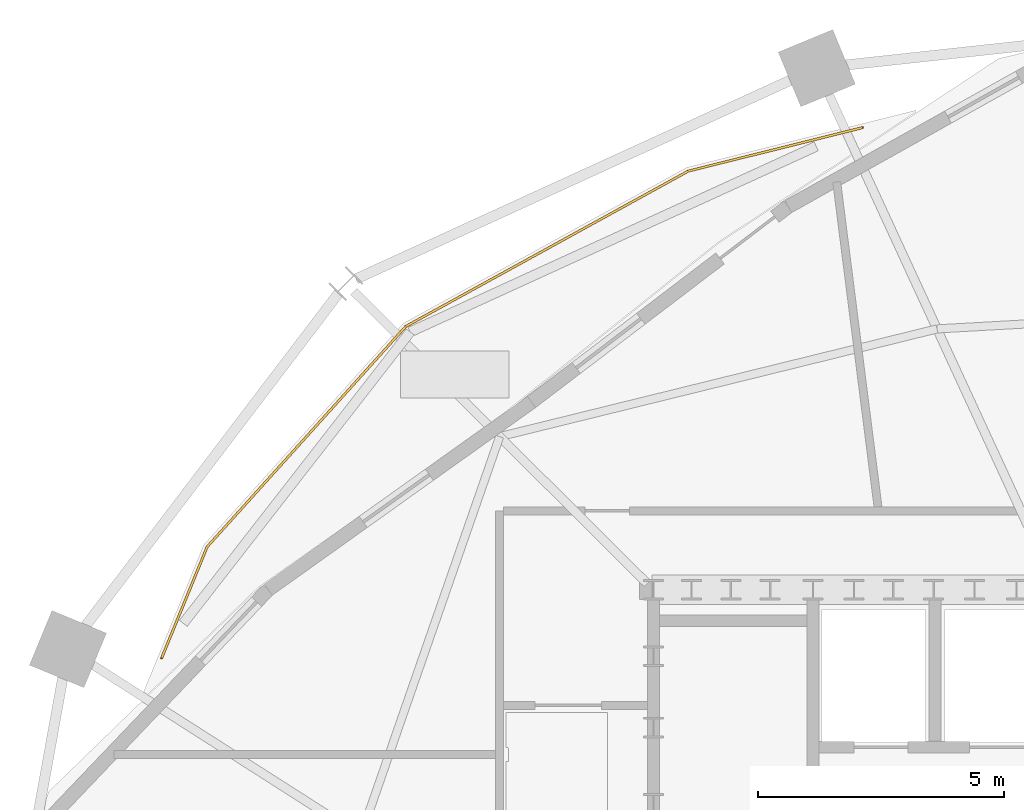
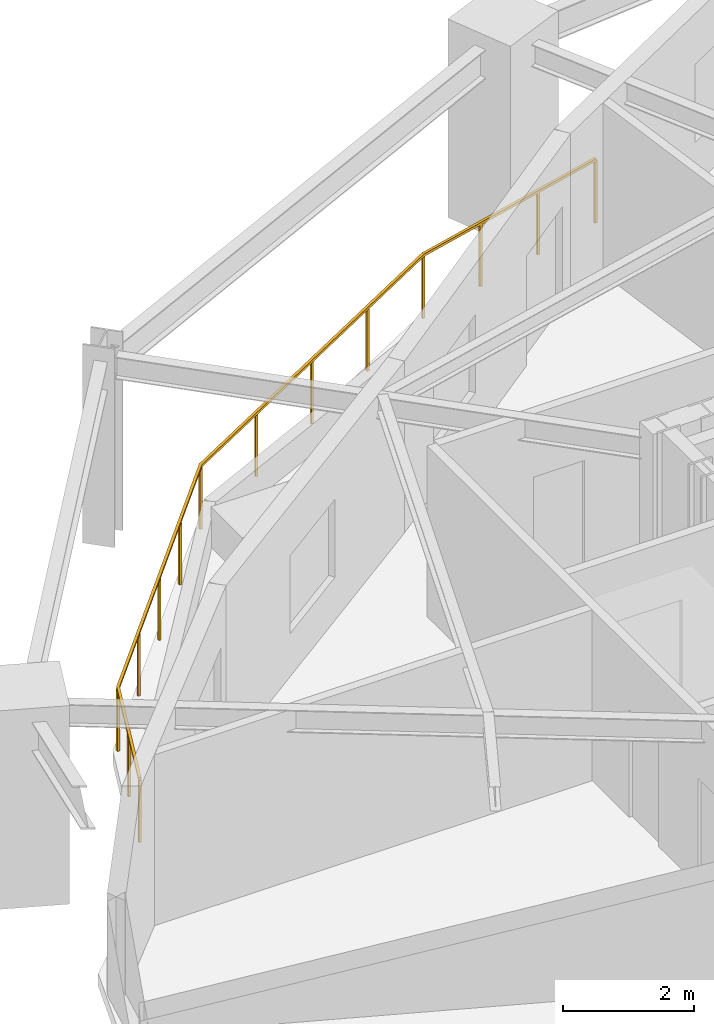
# One storey, part 10 of 10: 1 railing.
"""IFC4 building model written with IfcOpenShell, lengths in metres."""

import ifcopenshell
import ifcopenshell.guid

model = None  # the IFC model being written
_history = None  # IfcOwnerHistory: only IFC2X3 demands one
_inside = {}  # id of a spatial element -> (the spatial element, [elements in it])
_under = {}  # id of a project, library or spatial element -> (it, [spatial elements below it])
_declared = {}  # id of a project -> (the project, [libraries it declares])
_typed = {}  # id of a type object -> (the type object, [elements of that type])
_made_of = {}  # id of a material, layer set ... -> (it, [elements and type objects made of it])


def new_model(schema):
    """Start an empty IFC model of exactly this schema.

    Asked for "IFC4X3", IfcOpenShell would pick the latest addendum, in which some entities
    have other attributes; the version numbers below select the first issue.
    IFC2X3 requires an IfcOwnerHistory on every rooted entity: one is made here for all.
    """
    global model, _history
    if schema == "IFC4X3":
        model = ifcopenshell.file(schema_version=(4, 3, 0, 0))
    else:
        model = ifcopenshell.file(schema=schema)
    _inside.clear()
    _under.clear()
    _declared.clear()
    _typed.clear()
    _made_of.clear()
    _history = None
    if model.schema == "IFC2X3":
        org = make("IfcOrganization", Name="unknown")
        user = make(
            "IfcPersonAndOrganization",
            ThePerson=make("IfcPerson", FamilyName="unknown"),
            TheOrganization=org,
        )
        app = make(
            "IfcApplication",
            ApplicationDeveloper=org,
            Version="unknown",
            ApplicationFullName="unknown",
            ApplicationIdentifier="unknown",
        )
        _history = make(
            "IfcOwnerHistory",
            OwningUser=user,
            OwningApplication=app,
            ChangeAction="ADDED",
            CreationDate=0,
        )
    return model


def make(cls, **values):
    """One entity of the class cls with the attributes given. An attribute that is None is left unset."""
    return model.create_entity(
        cls, **{name: value for name, value in values.items() if value is not None}
    )


def rooted(cls, **values):
    """An entity with a GlobalId (a new one), such as an element, a storey or a relation."""
    return make(cls, GlobalId=ifcopenshell.guid.new(), OwnerHistory=_history, **values)


def si_unit(unit_type, name, prefix=None):
    """IfcSIUnit, for example si_unit("LENGTHUNIT", "METRE", prefix="MILLI")."""
    return make("IfcSIUnit", UnitType=unit_type, Prefix=prefix, Name=name)


def assignment(units):
    """IfcUnitAssignment: the units of a project."""
    return None if units is None else make("IfcUnitAssignment", Units=units)


def point(xyz):
    """IfcCartesianPoint."""
    return None if xyz is None else make("IfcCartesianPoint", Coordinates=xyz)


def direction(xyz):
    """IfcDirection."""
    return None if xyz is None else make("IfcDirection", DirectionRatios=xyz)


def frame(location, z_axis=None, x_axis=None):
    """IfcAxis2Placement3D, a coordinate frame: its origin and axes. An axis left out is left unset."""
    return make(
        "IfcAxis2Placement3D",
        Location=point(location),
        Axis=direction(z_axis),
        RefDirection=direction(x_axis),
    )


def frame_2d(location, x_axis=None):
    """IfcAxis2Placement2D, a coordinate frame in the plane: its origin and x axis."""
    return make(
        "IfcAxis2Placement2D", Location=point(location), RefDirection=direction(x_axis)
    )


def origin():
    """The frame at (0, 0, 0) with its axes left unset."""
    return frame((0.0, 0.0, 0.0))


def origin_2d():
    """The frame at (0, 0) in the plane with its x axis left unset."""
    return frame_2d((0.0, 0.0))


def place(relative_to, where):
    """IfcLocalPlacement: puts the frame where relative to a parent placement (None: the world)."""
    return make(
        "IfcLocalPlacement", PlacementRelTo=relative_to, RelativePlacement=where
    )


def context(
    kind, dimensions, precision=None, world=None, true_north=None, identifier=None
):
    """IfcGeometricRepresentationContext, for example the 3D "Model" context."""
    return make(
        "IfcGeometricRepresentationContext",
        ContextIdentifier=identifier,
        ContextType=kind,
        CoordinateSpaceDimension=dimensions,
        Precision=precision,
        WorldCoordinateSystem=world,
        TrueNorth=true_north,
    )


def subcontext(parent, identifier, kind, view, scale=None):
    """IfcGeometricRepresentationSubContext, for example "Body" below "Model"."""
    return make(
        "IfcGeometricRepresentationSubContext",
        ContextIdentifier=identifier,
        ContextType=kind,
        ParentContext=parent,
        TargetScale=scale,
        TargetView=view,
    )


def project(units=None, contexts=None):
    """IfcProject with its units and contexts."""
    return rooted(
        "IfcProject",
        Name="project",
        RepresentationContexts=contexts,
        UnitsInContext=assignment(units),
    )


def spatial(cls, under=None, at=None, **own):
    """A site, building, storey or space (cls), placed at a placement, below another one or the project."""
    s = rooted(cls, ObjectPlacement=at, **own)
    if under is not None:
        _under.setdefault(under.id(), (under, []))[1].append(s)
    return s


def profile(cls, at=None, kind="AREA", **sizes):
    """A parametric profile (cls). Its sizes go by their IFC names, for example OverallWidth=200.0."""
    return make(cls, ProfileType=kind, Position=at, **sizes)


def rectangle(**sizes):
    """IfcRectangleProfileDef."""
    return profile("IfcRectangleProfileDef", **sizes)


def extrude(swept, where, along, depth):
    """IfcExtrudedAreaSolid: the profile swept, set in the frame where, extruded along a direction by depth."""
    return make(
        "IfcExtrudedAreaSolid",
        SweptArea=swept,
        Position=where,
        ExtrudedDirection=direction(along),
        Depth=depth,
    )


def shape(context_of_items, identifier, shape_type, items):
    """IfcShapeRepresentation: the items that make up one representation, for example the "Body"."""
    return make(
        "IfcShapeRepresentation",
        ContextOfItems=context_of_items,
        RepresentationIdentifier=identifier,
        RepresentationType=shape_type,
        Items=items,
    )


def material(Name=None, Category=None):
    """IfcMaterial."""
    return make("IfcMaterial", Name=Name, Category=Category)


def made_of(thing, what):
    """Note that an element or type object is made of a material, layer set ...; save() writes the relation."""
    if what is not None:
        _made_of.setdefault(what.id(), (what, []))[1].append(thing)
    return thing


def type_object(cls, material=None, **own):
    """A type object (cls), such as IfcWallType, which elements share."""
    return made_of(rooted(cls, **own), material)


def element(
    cls,
    number,
    at=None,
    inside=None,
    cuts=None,
    type_object=None,
    material=None,
    context=None,
    identifier="Body",
    shape_type=None,
    held_by="IfcProductDefinitionShape",
    body=None,
    shapes=None,
    **own,
):
    """One element of the class cls, such as IfcWall. Its Tag is "e" and its number.

    at: its placement. inside: the storey or other place that contains it. cuts: it is an
    opening in that element (IfcRelVoidsElement). A single representation is given by context,
    identifier, shape_type and body (its items); several are given by shapes. held_by: the class
    of the entity that holds the representations. save() writes the other relations.
    """
    e = rooted(cls, Tag="e%d" % number, ObjectPlacement=at, **own)
    if body is not None:
        shapes = [shape(context, identifier, shape_type, body)]
    if shapes is not None:
        e.Representation = make(held_by, Representations=shapes)
    if inside is not None:
        _inside.setdefault(inside.id(), (inside, []))[1].append(e)
    if cuts is not None:
        rooted(
            "IfcRelVoidsElement", RelatingBuildingElement=cuts, RelatedOpeningElement=e
        )
    if type_object is not None:
        _typed.setdefault(type_object.id(), (type_object, []))[1].append(e)
    return made_of(e, material)


def aggregate(whole, parts):
    """IfcRelAggregates: a whole, such as a stair, and the parts it consists of."""
    return rooted("IfcRelAggregates", RelatingObject=whole, RelatedObjects=parts)


def save(model, path):
    """Write the relations noted so far, then the file.

    IfcRelAggregates (storeys below a building ...), IfcRelContainedInSpatialStructure (elements
    in a storey), IfcRelDefinesByType, IfcRelAssociatesMaterial and IfcRelDeclares: one each for
    every whole, place, type object, material and project.
    """
    for whole, parts in _under.values():
        aggregate(whole, parts)
    for where, things in _inside.values():
        rooted(
            "IfcRelContainedInSpatialStructure",
            RelatedElements=things,
            RelatingStructure=where,
        )
    for kind, things in _typed.values():
        rooted("IfcRelDefinesByType", RelatedObjects=things, RelatingType=kind)
    for what, things in _made_of.values():
        rooted("IfcRelAssociatesMaterial", RelatedObjects=things, RelatingMaterial=what)
    for by, libraries in _declared.values():
        rooted("IfcRelDeclares", RelatingContext=by, RelatedDefinitions=libraries)
    model.write(path)


model = new_model("IFC4")

# Units and contexts
model_context = context("Model", 3, precision=1e-05, world=origin(), true_north=direction((0.0, 1.0)))
body_context = subcontext(model_context, "Body", "Model", "MODEL_VIEW")
ifc_project = project(units=[si_unit("LENGTHUNIT", "METRE"), si_unit("AREAUNIT", "SQUARE_METRE"), si_unit("VOLUMEUNIT", "CUBIC_METRE"), si_unit("PLANEANGLEUNIT", "RADIAN"), si_unit("MASSUNIT", "GRAM", prefix="KILO")], contexts=[model_context])

# Site, building, storey
site_placement = place(None, origin())
site = spatial("IfcSite", under=ifc_project, at=site_placement, CompositionType="ELEMENT")
building_placement = place(site_placement, origin())
building = spatial("IfcBuilding", under=site, at=building_placement, Name="Haldorwick Loom Tower", CompositionType="ELEMENT")
storey_placement = place(building_placement, frame((0.0, 0.0, 185.5)))
storey = spatial("IfcBuildingStorey", under=building, at=storey_placement, Name="L50", CompositionType="ELEMENT", Elevation=185.5)

# Railing
ifc_material = material(Name="Galvanized Steel CSA G40.21 350W", Category="steel")
railing_type = type_object("IfcRailingType", Name="ARC-RLG-BAL120", PredefinedType="BALUSTRADE", material=ifc_material)
railing_placement = place(storey_placement, frame((11.9423828125, 34.161865234375, 0.0)))
element("IfcRailing", 1, at=railing_placement, inside=storey, type_object=railing_type, Name="L50 Outdoor Terrace Guardrail SLB-L50-TERR-1-1", PredefinedType="BALUSTRADE", context=body_context, shape_type="SweptSolid", body=[
    extrude(rectangle(XDim=0.048095703125, YDim=0.048095703125, at=origin_2d()), frame((0.0, 0.0, 1.17578125), z_axis=(0.378726326298, 0.92550870864, 0.0), x_axis=(-0.92550870864, 0.378726326298, 0.0)), (0.0, 0.0, 1.0), 2.440673828125),
    extrude(rectangle(XDim=0.048095703125, YDim=0.048095703125, at=origin_2d()), frame((0.92431640625, 2.2587890625, 1.17578125), z_axis=(0.669477326414, 0.74283249082, 0.0), x_axis=(-0.74283249082, 0.669477326414, 0.0)), (0.0, 0.0, 1.0), 6.02392578125),
    extrude(rectangle(XDim=0.048095703125, YDim=0.048095703125, at=origin_2d()), frame((4.957275390625, 6.733642578125, 1.17578125), z_axis=(0.876245051447, 0.481865759122, 0.0), x_axis=(-0.481865759122, 0.876245051447, 0.0)), (0.0, 0.0, 1.0), 6.5439453125),
    extrude(rectangle(XDim=0.048095703125, YDim=0.048095703125, at=origin_2d()), frame((10.69140625, 9.886962890625, 1.17578125), z_axis=(0.970221190511, 0.242220646279, 0.0), x_axis=(-0.242220646279, 0.970221190511, 0.0)), (0.0, 0.0, 1.0), 3.647705078125),
    extrude(rectangle(XDim=0.0419921875, YDim=0.0419921875, at=origin_2d()), origin(), (0.0, 0.0, 1.0), 1.15185546875),
    extrude(rectangle(XDim=0.0419921875, YDim=0.0419921875, at=origin_2d()), frame((0.462158203125, 1.12939453125, 0.0)), (0.0, 0.0, 1.0), 1.15185546875),
    extrude(rectangle(XDim=0.0419921875, YDim=0.0419921875, at=origin_2d()), frame((0.92431640625, 2.2587890625, 0.0)), (0.0, 0.0, 1.0), 1.15185546875),
    extrude(rectangle(XDim=0.0419921875, YDim=0.0419921875, at=origin_2d()), frame((1.9326171875, 3.37744140625, 0.0)), (0.0, 0.0, 1.0), 1.15185546875),
    extrude(rectangle(XDim=0.0419921875, YDim=0.0419921875, at=origin_2d()), frame((2.94091796875, 4.49609375, 0.0)), (0.0, 0.0, 1.0), 1.15185546875),
    extrude(rectangle(XDim=0.0419921875, YDim=0.0419921875, at=origin_2d()), frame((3.948974609375, 5.614990234375, 0.0)), (0.0, 0.0, 1.0), 1.15185546875),
    extrude(rectangle(XDim=0.0419921875, YDim=0.0419921875, at=origin_2d()), frame((4.957275390625, 6.733642578125, 0.0)), (0.0, 0.0, 1.0), 1.15185546875),
    extrude(rectangle(XDim=0.0419921875, YDim=0.0419921875, at=origin_2d()), frame((6.390869140625, 7.52197265625, 0.0)), (0.0, 0.0, 1.0), 1.15185546875),
    extrude(rectangle(XDim=0.0419921875, YDim=0.0419921875, at=origin_2d()), frame((7.82421875, 8.310302734375, 0.0)), (0.0, 0.0, 1.0), 1.15185546875),
    extrude(rectangle(XDim=0.0419921875, YDim=0.0419921875, at=origin_2d()), frame((9.2578125, 9.0986328125, 0.0)), (0.0, 0.0, 1.0), 1.15185546875),
    extrude(rectangle(XDim=0.0419921875, YDim=0.0419921875, at=origin_2d()), frame((10.69140625, 9.886962890625, 0.0)), (0.0, 0.0, 1.0), 1.15185546875),
    extrude(rectangle(XDim=0.0419921875, YDim=0.0419921875, at=origin_2d()), frame((11.87109375, 10.181396484375, 0.0)), (0.0, 0.0, 1.0), 1.15185546875),
    extrude(rectangle(XDim=0.0419921875, YDim=0.0419921875, at=origin_2d()), frame((13.05078125, 10.47607421875, 0.0)), (0.0, 0.0, 1.0), 1.15185546875),
    extrude(rectangle(XDim=0.0419921875, YDim=0.0419921875, at=origin_2d()), frame((14.23046875, 10.7705078125, 0.0)), (0.0, 0.0, 1.0), 1.15185546875),
])

save(model, "model.ifc")
